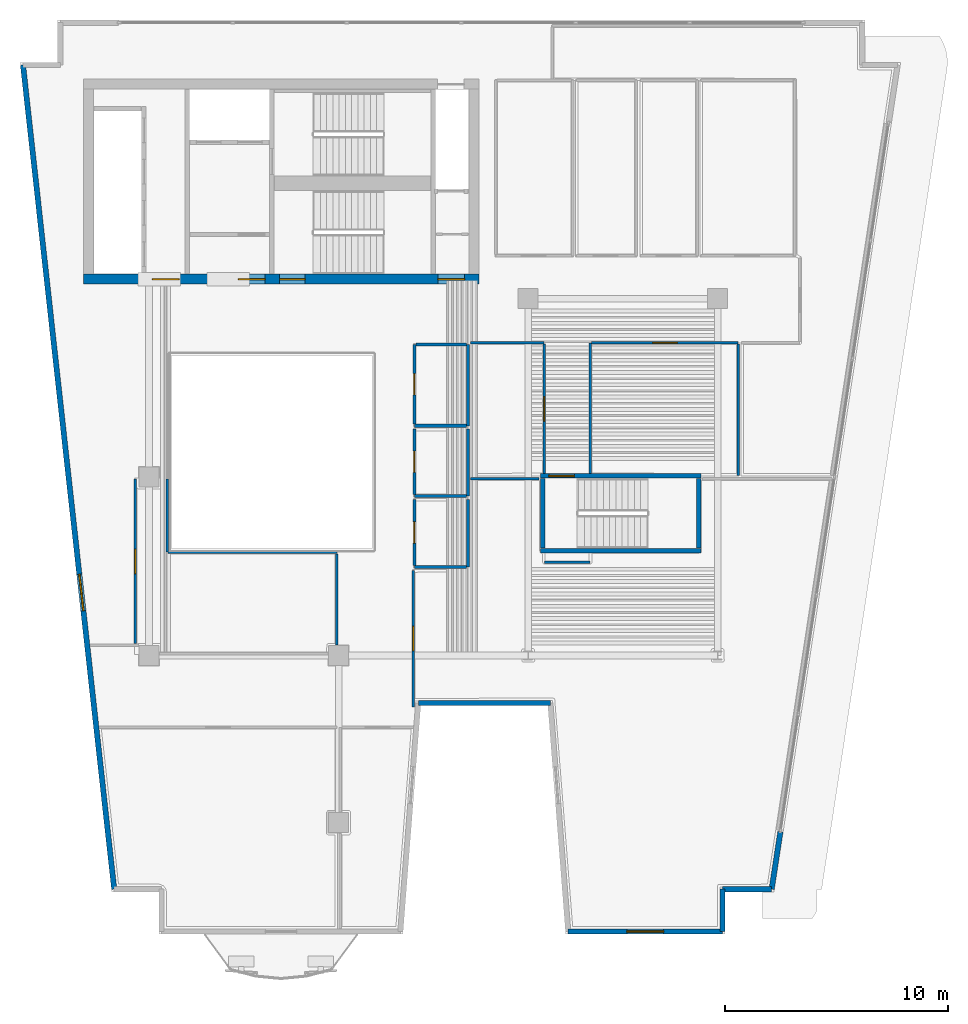
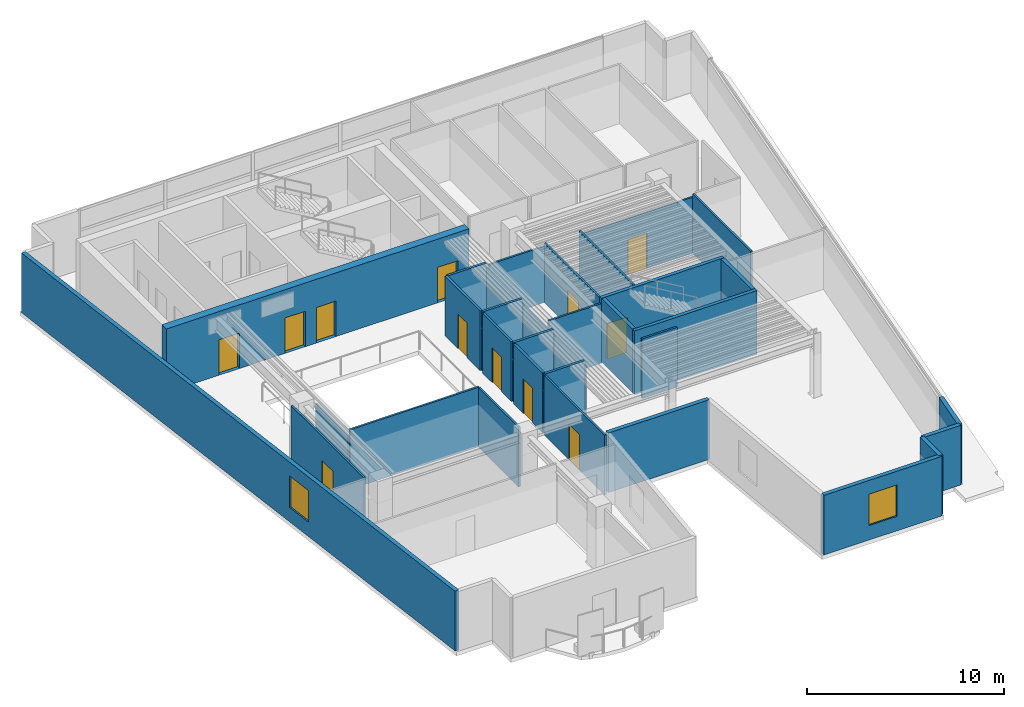
# One storey, part 4 of 8: 33 walls, 12 doors, 2 windows, 14 openings.
"""IFC4 building model written with IfcOpenShell, lengths in metres."""

import ifcopenshell
import ifcopenshell.guid

model = None  # the IFC model being written
_history = None  # IfcOwnerHistory: only IFC2X3 demands one
_inside = {}  # id of a spatial element -> (the spatial element, [elements in it])
_under = {}  # id of a project, library or spatial element -> (it, [spatial elements below it])
_declared = {}  # id of a project -> (the project, [libraries it declares])
_typed = {}  # id of a type object -> (the type object, [elements of that type])
_made_of = {}  # id of a material, layer set ... -> (it, [elements and type objects made of it])


def new_model(schema):
    """Start an empty IFC model of exactly this schema.

    Asked for "IFC4X3", IfcOpenShell would pick the latest addendum, in which some entities
    have other attributes; the version numbers below select the first issue.
    IFC2X3 requires an IfcOwnerHistory on every rooted entity: one is made here for all.
    """
    global model, _history
    if schema == "IFC4X3":
        model = ifcopenshell.file(schema_version=(4, 3, 0, 0))
    else:
        model = ifcopenshell.file(schema=schema)
    _inside.clear()
    _under.clear()
    _declared.clear()
    _typed.clear()
    _made_of.clear()
    _history = None
    if model.schema == "IFC2X3":
        org = make("IfcOrganization", Name="unknown")
        user = make(
            "IfcPersonAndOrganization",
            ThePerson=make("IfcPerson", FamilyName="unknown"),
            TheOrganization=org,
        )
        app = make(
            "IfcApplication",
            ApplicationDeveloper=org,
            Version="unknown",
            ApplicationFullName="unknown",
            ApplicationIdentifier="unknown",
        )
        _history = make(
            "IfcOwnerHistory",
            OwningUser=user,
            OwningApplication=app,
            ChangeAction="ADDED",
            CreationDate=0,
        )
    return model


def make(cls, **values):
    """One entity of the class cls with the attributes given. An attribute that is None is left unset."""
    return model.create_entity(
        cls, **{name: value for name, value in values.items() if value is not None}
    )


def rooted(cls, **values):
    """An entity with a GlobalId (a new one), such as an element, a storey or a relation."""
    return make(cls, GlobalId=ifcopenshell.guid.new(), OwnerHistory=_history, **values)


def si_unit(unit_type, name, prefix=None):
    """IfcSIUnit, for example si_unit("LENGTHUNIT", "METRE", prefix="MILLI")."""
    return make("IfcSIUnit", UnitType=unit_type, Prefix=prefix, Name=name)


def assignment(units):
    """IfcUnitAssignment: the units of a project."""
    return None if units is None else make("IfcUnitAssignment", Units=units)


def point(xyz):
    """IfcCartesianPoint."""
    return None if xyz is None else make("IfcCartesianPoint", Coordinates=xyz)


def direction(xyz):
    """IfcDirection."""
    return None if xyz is None else make("IfcDirection", DirectionRatios=xyz)


def frame(location, z_axis=None, x_axis=None):
    """IfcAxis2Placement3D, a coordinate frame: its origin and axes. An axis left out is left unset."""
    return make(
        "IfcAxis2Placement3D",
        Location=point(location),
        Axis=direction(z_axis),
        RefDirection=direction(x_axis),
    )


def frame_2d(location, x_axis=None):
    """IfcAxis2Placement2D, a coordinate frame in the plane: its origin and x axis."""
    return make(
        "IfcAxis2Placement2D", Location=point(location), RefDirection=direction(x_axis)
    )


def origin():
    """The frame at (0, 0, 0) with its axes left unset."""
    return frame((0.0, 0.0, 0.0))


def place(relative_to, where):
    """IfcLocalPlacement: puts the frame where relative to a parent placement (None: the world)."""
    return make(
        "IfcLocalPlacement", PlacementRelTo=relative_to, RelativePlacement=where
    )


def context(
    kind, dimensions, precision=None, world=None, true_north=None, identifier=None
):
    """IfcGeometricRepresentationContext, for example the 3D "Model" context."""
    return make(
        "IfcGeometricRepresentationContext",
        ContextIdentifier=identifier,
        ContextType=kind,
        CoordinateSpaceDimension=dimensions,
        Precision=precision,
        WorldCoordinateSystem=world,
        TrueNorth=true_north,
    )


def subcontext(parent, identifier, kind, view, scale=None):
    """IfcGeometricRepresentationSubContext, for example "Body" below "Model"."""
    return make(
        "IfcGeometricRepresentationSubContext",
        ContextIdentifier=identifier,
        ContextType=kind,
        ParentContext=parent,
        TargetScale=scale,
        TargetView=view,
    )


def project(units=None, contexts=None):
    """IfcProject with its units and contexts."""
    return rooted(
        "IfcProject",
        Name="project",
        RepresentationContexts=contexts,
        UnitsInContext=assignment(units),
    )


def spatial(cls, under=None, at=None, **own):
    """A site, building, storey or space (cls), placed at a placement, below another one or the project."""
    s = rooted(cls, ObjectPlacement=at, **own)
    if under is not None:
        _under.setdefault(under.id(), (under, []))[1].append(s)
    return s


def profile(cls, at=None, kind="AREA", **sizes):
    """A parametric profile (cls). Its sizes go by their IFC names, for example OverallWidth=200.0."""
    return make(cls, ProfileType=kind, Position=at, **sizes)


def rectangle(**sizes):
    """IfcRectangleProfileDef."""
    return profile("IfcRectangleProfileDef", **sizes)


def extrude(swept, where, along, depth):
    """IfcExtrudedAreaSolid: the profile swept, set in the frame where, extruded along a direction by depth."""
    return make(
        "IfcExtrudedAreaSolid",
        SweptArea=swept,
        Position=where,
        ExtrudedDirection=direction(along),
        Depth=depth,
    )


def shape(context_of_items, identifier, shape_type, items):
    """IfcShapeRepresentation: the items that make up one representation, for example the "Body"."""
    return make(
        "IfcShapeRepresentation",
        ContextOfItems=context_of_items,
        RepresentationIdentifier=identifier,
        RepresentationType=shape_type,
        Items=items,
    )


def material(Name=None, Category=None):
    """IfcMaterial."""
    return make("IfcMaterial", Name=Name, Category=Category)


def layer(
    of_material, thickness, ventilated=None, Name=None, Category=None, Priority=None
):
    """IfcMaterialLayer: one layer of a wall or slab, of a material (None: an air gap)."""
    return make(
        "IfcMaterialLayer",
        Material=of_material,
        LayerThickness=thickness,
        IsVentilated=ventilated,
        Name=Name,
        Category=Category,
        Priority=Priority,
    )


def layer_set(layers, Name=None):
    """IfcMaterialLayerSet."""
    return make("IfcMaterialLayerSet", MaterialLayers=layers, LayerSetName=Name)


def made_of(thing, what):
    """Note that an element or type object is made of a material, layer set ...; save() writes the relation."""
    if what is not None:
        _made_of.setdefault(what.id(), (what, []))[1].append(thing)
    return thing


def type_object(cls, material=None, **own):
    """A type object (cls), such as IfcWallType, which elements share."""
    return made_of(rooted(cls, **own), material)


def element(
    cls,
    number,
    at=None,
    inside=None,
    cuts=None,
    type_object=None,
    material=None,
    context=None,
    identifier="Body",
    shape_type=None,
    held_by="IfcProductDefinitionShape",
    body=None,
    shapes=None,
    **own,
):
    """One element of the class cls, such as IfcWall. Its Tag is "e" and its number.

    at: its placement. inside: the storey or other place that contains it. cuts: it is an
    opening in that element (IfcRelVoidsElement). A single representation is given by context,
    identifier, shape_type and body (its items); several are given by shapes. held_by: the class
    of the entity that holds the representations. save() writes the other relations.
    """
    e = rooted(cls, Tag="e%d" % number, ObjectPlacement=at, **own)
    if body is not None:
        shapes = [shape(context, identifier, shape_type, body)]
    if shapes is not None:
        e.Representation = make(held_by, Representations=shapes)
    if inside is not None:
        _inside.setdefault(inside.id(), (inside, []))[1].append(e)
    if cuts is not None:
        rooted(
            "IfcRelVoidsElement", RelatingBuildingElement=cuts, RelatedOpeningElement=e
        )
    if type_object is not None:
        _typed.setdefault(type_object.id(), (type_object, []))[1].append(e)
    return made_of(e, material)


def fill(opening, filler):
    """IfcRelFillsElement: the door or window that sits in an opening."""
    return rooted(
        "IfcRelFillsElement",
        RelatingOpeningElement=opening,
        RelatedBuildingElement=filler,
    )


def aggregate(whole, parts):
    """IfcRelAggregates: a whole, such as a stair, and the parts it consists of."""
    return rooted("IfcRelAggregates", RelatingObject=whole, RelatedObjects=parts)


def save(model, path):
    """Write the relations noted so far, then the file.

    IfcRelAggregates (storeys below a building ...), IfcRelContainedInSpatialStructure (elements
    in a storey), IfcRelDefinesByType, IfcRelAssociatesMaterial and IfcRelDeclares: one each for
    every whole, place, type object, material and project.
    """
    for whole, parts in _under.values():
        aggregate(whole, parts)
    for where, things in _inside.values():
        rooted(
            "IfcRelContainedInSpatialStructure",
            RelatedElements=things,
            RelatingStructure=where,
        )
    for kind, things in _typed.values():
        rooted("IfcRelDefinesByType", RelatedObjects=things, RelatingType=kind)
    for what, things in _made_of.values():
        rooted("IfcRelAssociatesMaterial", RelatedObjects=things, RelatingMaterial=what)
    for by, libraries in _declared.values():
        rooted("IfcRelDeclares", RelatingContext=by, RelatedDefinitions=libraries)
    model.write(path)


model = new_model("IFC4")

# Units and contexts
model_context = context("Model", 3, precision=1e-05, world=origin(), true_north=direction((0.0, 1.0)))
body_context = subcontext(model_context, "Body", "Model", "MODEL_VIEW")
ifc_project = project(units=[si_unit("LENGTHUNIT", "METRE"), si_unit("AREAUNIT", "SQUARE_METRE"), si_unit("VOLUMEUNIT", "CUBIC_METRE"), si_unit("PLANEANGLEUNIT", "RADIAN"), si_unit("MASSUNIT", "GRAM", prefix="KILO")], contexts=[model_context])

# Site, building, storey
site_placement = place(None, origin())
site = spatial("IfcSite", under=ifc_project, at=site_placement, CompositionType="ELEMENT")
building_placement = place(site_placement, origin())
building = spatial("IfcBuilding", under=site, at=building_placement, Name="Caeloran Harvest Quay", CompositionType="ELEMENT")
storey_placement = place(building_placement, frame((0.0, 0.0, 235.10009765625)))
storey = spatial("IfcBuildingStorey", under=building, at=storey_placement, Name="L56", CompositionType="ELEMENT", Elevation=235.10009765625)

# Wall, opening, window
ifc_material_1 = material(Name="Precast concrete C50/60", Category="concrete")
ifc_layer_1 = layer(ifc_material_1, 0.239990234375, Name="Precast concrete C50/60")
ifc_layer_set_1 = layer_set([ifc_layer_1], Name="Precast concrete C50/60")
wall_type_1 = type_object("IfcWallType", Name="ENV-WALL-EW-240", PredefinedType="STANDARD", material=ifc_layer_set_1)
wall_1_placement = place(storey_placement, frame((6.933349609375, 4.52001953125, 0.0), z_axis=(0.0, 0.0, 1.0), x_axis=(-0.109965284523, 0.993935428587, 0.0)))
wall_1 = element("IfcWall", 1, at=wall_1_placement, inside=storey, type_object=wall_type_1, Name="L56 Exterior Precast Concrete Facade Wall 3", PredefinedType="STANDARD", context=body_context, shape_type="SweptSolid", body=[
    extrude(rectangle(XDim=37.185546875, YDim=0.239990234375, at=frame_2d((18.5927734375, 0.0))), origin(), (0.0, 0.0, 1.0), 3.699951171875),
])
opening_1_placement = place(wall_1_placement, frame((12.56201171875, 0.0, 0.89990234375)))
opening_1 = element("IfcOpeningElement", 2, at=opening_1_placement, cuts=wall_1, Name="Opening W-08", PredefinedType="OPENING", context=body_context, shape_type="SweptSolid", body=[
    extrude(rectangle(XDim=1.64990234375, YDim=1.949951171875, at=frame_2d((0.824951171875, 0.97509765625))), frame((0.0, 0.1298828125, 0.0), z_axis=(0.0, -1.0, 0.0), x_axis=(1.0, 0.0, 0.0)), (0.0, 0.0, 1.0), 0.260009765625),
])
ifc_material_2 = material(Name="Aluminium-Framed Low-E Laminated Glass", Category="aluminium")
window_type = type_object("IfcWindowType", Name="WIN-W-08", PartitioningType="SINGLE_PANEL", PredefinedType="WINDOW", material=ifc_material_2)
window_1_placement = place(opening_1_placement, origin())
window_1 = element("IfcWindow", 3, at=window_1_placement, inside=storey, type_object=window_type, Name="L56 Facade Punched Window W-08", OverallHeight=1.949951171875, OverallWidth=1.64990234375, PartitioningType="SINGLE_PANEL", PredefinedType="WINDOW", context=body_context, shape_type="SweptSolid", body=[
    extrude(rectangle(XDim=1.64990234375, YDim=1.949951171875, at=frame_2d((0.824951171875, 0.97509765625))), frame((0.0, 0.030029296875, 0.0), z_axis=(0.0, -1.0, 0.0), x_axis=(1.0, 0.0, 0.0)), (0.0, 0.0, 1.0), 0.06005859375),
])
fill(opening_1, window_1)

# Walls
wall_2_placement = place(storey_placement, frame((36.81591796875, 7.090087890625, 0.0), z_axis=(0.0, 0.0, 1.0), x_axis=(-0.151090396132, -0.988519950328, 0.0)))
element("IfcWall", 4, at=wall_2_placement, inside=storey, type_object=wall_type_1, Name="L56 Exterior Facade Corner Pier Wall 9B", PredefinedType="STANDARD", context=body_context, shape_type="SweptSolid", body=[
    extrude(rectangle(XDim=2.599853515625, YDim=0.239990234375, at=frame_2d((1.2998046875, 0.0))), origin(), (0.0, 0.0, 1.0), 3.699951171875),
])
wall_3_placement = place(storey_placement, frame((36.423095703125, 4.52001953125, 0.0), z_axis=(0.0, 0.0, 1.0), x_axis=(-1.0, 0.0, 0.0)))
element("IfcWall", 5, at=wall_3_placement, inside=storey, type_object=wall_type_1, Name="L56 Exterior Precast Concrete Facade Wall 10", PredefinedType="STANDARD", context=body_context, shape_type="SweptSolid", body=[
    extrude(rectangle(XDim=2.20703125, YDim=0.239990234375, at=frame_2d((1.103515625, 0.0))), origin(), (0.0, 0.0, 1.0), 3.699951171875),
])
wall_4_placement = place(storey_placement, frame((34.216064453125, 4.52001953125, 0.0), z_axis=(0.0, 0.0, 1.0), x_axis=(0.0, -1.0, 0.0)))
element("IfcWall", 6, at=wall_4_placement, inside=storey, type_object=wall_type_1, Name="L56 Exterior Precast Concrete Facade Wall 11", PredefinedType="STANDARD", context=body_context, shape_type="SweptSolid", body=[
    extrude(rectangle(XDim=1.89990234375, YDim=0.239990234375, at=frame_2d((0.949951171875, 0.0))), origin(), (0.0, 0.0, 1.0), 3.699951171875),
])

# Wall, opening, window
wall_5_placement = place(storey_placement, frame((34.216064453125, 2.6201171875, 0.0), z_axis=(0.0, 0.0, 1.0), x_axis=(-1.0, 0.0, 0.0)))
wall_5 = element("IfcWall", 7, at=wall_5_placement, inside=storey, type_object=wall_type_1, Name="L56 Exterior Precast Concrete Facade Wall 12", PredefinedType="STANDARD", context=body_context, shape_type="SweptSolid", body=[
    extrude(rectangle(XDim=6.921142578125, YDim=0.239990234375, at=frame_2d((3.46044921875, 0.0))), origin(), (0.0, 0.0, 1.0), 3.699951171875),
])
opening_2_placement = place(wall_5_placement, frame((2.635009765625, 0.0, 0.89990234375)))
opening_2 = element("IfcOpeningElement", 8, at=opening_2_placement, cuts=wall_5, Name="Opening W-08", PredefinedType="OPENING", context=body_context, shape_type="SweptSolid", body=[
    extrude(rectangle(XDim=1.64990234375, YDim=1.949951171875, at=frame_2d((0.824951171875, 0.97509765625))), frame((0.0, 0.1298828125, 0.0), z_axis=(0.0, -1.0, 0.0), x_axis=(1.0, 0.0, 0.0)), (0.0, 0.0, 1.0), 0.260009765625),
])
window_2_placement = place(opening_2_placement, origin())
window_2 = element("IfcWindow", 9, at=window_2_placement, inside=storey, type_object=window_type, Name="L56 Facade Punched Window W-08", OverallHeight=1.949951171875, OverallWidth=1.64990234375, PartitioningType="SINGLE_PANEL", PredefinedType="WINDOW", context=body_context, shape_type="SweptSolid", body=[
    extrude(rectangle(XDim=1.64990234375, YDim=1.949951171875, at=frame_2d((0.824951171875, 0.97509765625))), frame((0.0, 0.030029296875, 0.0), z_axis=(0.0, -1.0, 0.0), x_axis=(1.0, 0.0, 0.0)), (0.0, 0.0, 1.0), 0.06005859375),
])
fill(opening_2, window_2)

# Wall
wall_6_placement = place(storey_placement, frame((26.4951171875, 12.8701171875, 0.0), z_axis=(0.0, 0.0, 1.0), x_axis=(-1.0, 0.0, 0.0)))
element("IfcWall", 10, at=wall_6_placement, inside=storey, type_object=wall_type_1, Name="L56 Exterior Precast Concrete Facade Wall 14", PredefinedType="STANDARD", context=body_context, shape_type="SweptSolid", body=[
    extrude(rectangle(XDim=5.922119140625, YDim=0.239990234375, at=frame_2d((2.9609375, 0.0))), origin(), (0.0, 0.0, 1.0), 3.699951171875),
])

# Wall, opening, door
ifc_material_3 = material(Name="Single-Stud Acoustic Gypsum Office Partition", Category="gypsum")
ifc_layer_2 = layer(ifc_material_3, 0.112060546875, Name="Single-Stud Acoustic Gypsum Office Partition")
ifc_layer_set_2 = layer_set([ifc_layer_2], Name="Single-Stud Acoustic Gypsum Office Partition")
wall_type_2 = type_object("IfcWallType", Name="INT-WALL-PW-112", PredefinedType="PARTITIONING", material=ifc_layer_set_2)
wall_7_placement = place(storey_placement, frame((20.35009765625, 12.688720703125, 0.0), z_axis=(0.0, 0.0, 1.0), x_axis=(0.0, 1.0, 0.0)))
wall_7 = element("IfcWall", 11, at=wall_7_placement, inside=storey, type_object=wall_type_2, Name="Material Testing Laboratory Partition Wall", PredefinedType="PARTITIONING", context=body_context, shape_type="SweptSolid", body=[
    extrude(rectangle(XDim=6.121337890625, YDim=0.112060546875, at=frame_2d((3.060546875, 0.0))), origin(), (0.0, 0.0, 1.0), 3.699951171875),
])
opening_3_placement = place(wall_7_placement, frame((2.5107421875, 0.0, 0.0)))
opening_3 = element("IfcOpeningElement", 12, at=opening_3_placement, cuts=wall_7, Name="Opening ID-04", PredefinedType="OPENING", context=body_context, shape_type="SweptSolid", body=[
    extrude(rectangle(XDim=1.10009765625, YDim=2.199951171875, at=frame_2d((0.550048828125, 1.10009765625))), frame((0.0, 0.06591796875, 0.0), z_axis=(0.0, -1.0, 0.0), x_axis=(1.0, 0.0, 0.0)), (0.0, 0.0, 1.0), 0.132080078125),
])
ifc_material_4 = material(Name="Acoustic Walnut Veneer Executive Door", Category="wood")
door_type_1 = type_object("IfcDoorType", Name="INTDOOR-ID-04", OperationType="NOTDEFINED", PredefinedType="DOOR", material=ifc_material_4)
door_1_placement = place(opening_3_placement, origin())
door_1 = element("IfcDoor", 13, at=door_1_placement, inside=storey, type_object=door_type_1, Name="Material Testing Laboratory Access Door", OperationType="SINGLE_SWING_RIGHT", OverallHeight=2.199951171875, OverallWidth=1.10009765625, PredefinedType="DOOR", context=body_context, shape_type="SweptSolid", body=[
    extrude(rectangle(XDim=1.10009765625, YDim=2.199951171875, at=frame_2d((0.550048828125, 1.10009765625))), frame((0.0, 0.02490234375, 0.0), z_axis=(0.0, -1.0, 0.0), x_axis=(1.0, 0.0, 0.0)), (0.0, 0.0, 1.0), 0.050048828125),
])
fill(opening_3, door_1)

# Walls
wall_8_placement = place(storey_placement, frame((22.909912109375, 22.919921875, 0.0), z_axis=(0.0, 0.0, 1.0), x_axis=(1.0, 0.0, 0.0)))
element("IfcWall", 14, at=wall_8_placement, inside=storey, type_object=wall_type_2, Name="Material Testing Laboratory Partition Wall", PredefinedType="PARTITIONING", context=body_context, shape_type="SweptSolid", body=[
    extrude(rectangle(XDim=3.0791015625, YDim=0.112060546875, at=frame_2d((1.53955078125, 0.0))), origin(), (0.0, 0.0, 1.0), 3.699951171875),
])
wall_9_placement = place(storey_placement, frame((26.22412109375, 19.169921875, 0.0), z_axis=(0.0, 0.0, 1.0), x_axis=(1.0, 0.0, 0.0)))
element("IfcWall", 15, at=wall_9_placement, inside=storey, type_object=wall_type_2, Name="Material Testing Laboratory Partition Wall", PredefinedType="PARTITIONING", context=body_context, shape_type="SweptSolid", body=[
    extrude(rectangle(XDim=2.055908203125, YDim=0.112060546875, at=frame_2d((1.02783203125, 0.0))), origin(), (0.0, 0.0, 1.0), 3.699951171875),
])
wall_10_placement = place(storey_placement, frame((9.35009765625, 19.6201171875, 0.0), z_axis=(0.0, 0.0, 1.0), x_axis=(1.0, 0.0, 0.0)))
element("IfcWall", 16, at=wall_10_placement, inside=storey, type_object=wall_type_2, Name="Principal Partner Office Partition Wall", PredefinedType="PARTITIONING", context=body_context, shape_type="SweptSolid", body=[
    extrude(rectangle(XDim=7.56982421875, YDim=0.112060546875, at=frame_2d((3.784912109375, 0.0))), origin(), (0.0, 0.0, 1.0), 3.699951171875),
])
wall_11_placement = place(storey_placement, frame((16.919921875, 19.55908203125, 0.0), z_axis=(0.0, 0.0, 1.0), x_axis=(0.0, -1.0, 0.0)))
element("IfcWall", 17, at=wall_11_placement, inside=storey, type_object=wall_type_2, Name="Principal Partner Office Partition Wall", PredefinedType="PARTITIONING", context=body_context, shape_type="SweptSolid", body=[
    extrude(rectangle(XDim=4.083984375, YDim=0.112060546875, at=frame_2d((2.0419921875, 0.0))), origin(), (0.0, 0.0, 1.0), 3.699951171875),
])

# Wall, opening, door
wall_12_placement = place(storey_placement, frame((7.8798828125, 15.52587890625, 0.0), z_axis=(0.0, 0.0, 1.0), x_axis=(0.0, 1.0, 0.0)))
wall_12 = element("IfcWall", 18, at=wall_12_placement, inside=storey, type_object=wall_type_2, Name="Principal Partner Office Partition Wall", PredefinedType="PARTITIONING", context=body_context, shape_type="SweptSolid", body=[
    extrude(rectangle(XDim=7.39404296875, YDim=0.112060546875, at=frame_2d((3.697021484375, 0.0))), origin(), (0.0, 0.0, 1.0), 3.699951171875),
])
opening_4_placement = place(wall_12_placement, frame((3.14697265625, 0.0, 0.0)))
opening_4 = element("IfcOpeningElement", 19, at=opening_4_placement, cuts=wall_12, Name="Opening ID-04", PredefinedType="OPENING", context=body_context, shape_type="SweptSolid", body=[
    extrude(rectangle(XDim=1.10009765625, YDim=2.199951171875, at=frame_2d((0.550048828125, 1.10009765625))), frame((0.0, 0.06591796875, 0.0), z_axis=(0.0, -1.0, 0.0), x_axis=(1.0, 0.0, 0.0)), (0.0, 0.0, 1.0), 0.132080078125),
])
door_2_placement = place(opening_4_placement, origin())
door_2 = element("IfcDoor", 20, at=door_2_placement, inside=storey, type_object=door_type_1, Name="Principal Partner Office Access Door", OperationType="SINGLE_SWING_LEFT", OverallHeight=2.199951171875, OverallWidth=1.10009765625, PredefinedType="DOOR", context=body_context, shape_type="SweptSolid", body=[
    extrude(rectangle(XDim=1.10009765625, YDim=2.199951171875, at=frame_2d((0.550048828125, 1.10009765625))), frame((0.0, 0.02490234375, 0.0), z_axis=(0.0, -1.0, 0.0), x_axis=(1.0, 0.0, 0.0)), (0.0, 0.0, 1.0), 0.050048828125),
])
fill(opening_4, door_2)

# Walls
wall_13_placement = place(storey_placement, frame((9.320068359375, 22.919921875, 0.0), z_axis=(0.0, 0.0, 1.0), x_axis=(0.0, -1.0, 0.0)))
element("IfcWall", 21, at=wall_13_placement, inside=storey, type_object=wall_type_2, Name="Principal Partner Office Partition Wall", PredefinedType="PARTITIONING", context=body_context, shape_type="SweptSolid", body=[
    extrude(rectangle(XDim=3.27001953125, YDim=0.112060546875, at=frame_2d((1.635009765625, 0.0))), origin(), (0.0, 0.0, 1.0), 3.324951171875),
])
wall_14_placement = place(storey_placement, frame((22.909912109375, 29.02001953125, 0.0), z_axis=(0.0, 0.0, 1.0), x_axis=(1.0, 0.0, 0.0)))
element("IfcWall", 22, at=wall_14_placement, inside=storey, type_object=wall_type_2, Name="Terrace View Conference Room Partition Wall", PredefinedType="PARTITIONING", context=body_context, shape_type="SweptSolid", body=[
    extrude(rectangle(XDim=3.31005859375, YDim=0.112060546875, at=frame_2d((1.655029296875, 0.0))), origin(), (0.0, 0.0, 1.0), 3.48486328125),
])

# Wall, opening, door
wall_15_placement = place(storey_placement, frame((26.219970703125, 28.958984375, 0.0), z_axis=(0.0, 0.0, 1.0), x_axis=(0.0, -1.0, 0.0)))
wall_15 = element("IfcWall", 23, at=wall_15_placement, inside=storey, type_object=wall_type_2, Name="Terrace View Conference Room Partition Wall", PredefinedType="PARTITIONING", context=body_context, shape_type="SweptSolid", body=[
    extrude(rectangle(XDim=5.803955078125, YDim=0.112060546875, at=frame_2d((2.90185546875, 0.0))), origin(), (0.0, 0.0, 1.0), 3.699951171875),
])
opening_5_placement = place(wall_15_placement, frame((2.35205078125, 0.0, 0.0)))
opening_5 = element("IfcOpeningElement", 24, at=opening_5_placement, cuts=wall_15, Name="Opening ID-04", PredefinedType="OPENING", context=body_context, shape_type="SweptSolid", body=[
    extrude(rectangle(XDim=1.10009765625, YDim=2.199951171875, at=frame_2d((0.550048828125, 1.10009765625))), frame((0.0, 0.06591796875, 0.0), z_axis=(0.0, -1.0, 0.0), x_axis=(1.0, 0.0, 0.0)), (0.0, 0.0, 1.0), 0.132080078125),
])
door_3_placement = place(opening_5_placement, origin())
door_3 = element("IfcDoor", 25, at=door_3_placement, inside=storey, type_object=door_type_1, Name="Terrace View Conference Room Access Door", OperationType="SINGLE_SWING_RIGHT", OverallHeight=2.199951171875, OverallWidth=1.10009765625, PredefinedType="DOOR", context=body_context, shape_type="SweptSolid", body=[
    extrude(rectangle(XDim=1.10009765625, YDim=2.199951171875, at=frame_2d((0.550048828125, 1.10009765625))), frame((0.0, 0.02490234375, 0.0), z_axis=(0.0, -1.0, 0.0), x_axis=(1.0, 0.0, 0.0)), (0.0, 0.0, 1.0), 0.050048828125),
])
fill(opening_5, door_3)

# Wall
wall_16_placement = place(storey_placement, frame((28.280029296875, 23.155029296875, 0.0), z_axis=(0.0, 0.0, 1.0), x_axis=(0.0, 1.0, 0.0)))
element("IfcWall", 26, at=wall_16_placement, inside=storey, type_object=wall_type_2, Name="Studio Pin-Up Lounge Partition Wall", PredefinedType="PARTITIONING", context=body_context, shape_type="SweptSolid", body=[
    extrude(rectangle(XDim=5.864990234375, YDim=0.112060546875, at=frame_2d((2.9326171875, 0.0))), origin(), (0.0, 0.0, 1.0), 3.699951171875),
])

# Wall, opening, door
wall_17_placement = place(storey_placement, frame((28.341064453125, 29.02001953125, 0.0), z_axis=(0.0, 0.0, 1.0), x_axis=(1.0, 0.0, 0.0)))
wall_17 = element("IfcWall", 27, at=wall_17_placement, inside=storey, type_object=wall_type_2, Name="Studio Pin-Up Lounge Partition Wall", PredefinedType="PARTITIONING", context=body_context, shape_type="SweptSolid", body=[
    extrude(rectangle(XDim=6.578857421875, YDim=0.112060546875, at=frame_2d((3.28955078125, 0.0))), origin(), (0.0, 0.0, 1.0), 3.48486328125),
])
opening_6_placement = place(wall_17_placement, frame((2.739501953125, 0.0, 0.0)))
opening_6 = element("IfcOpeningElement", 28, at=opening_6_placement, cuts=wall_17, Name="Opening ID-04", PredefinedType="OPENING", context=body_context, shape_type="SweptSolid", body=[
    extrude(rectangle(XDim=1.10009765625, YDim=2.199951171875, at=frame_2d((0.550048828125, 1.10009765625))), frame((0.0, 0.06591796875, 0.0), z_axis=(0.0, -1.0, 0.0), x_axis=(1.0, 0.0, 0.0)), (0.0, 0.0, 1.0), 0.132080078125),
])
door_4_placement = place(opening_6_placement, origin())
door_4 = element("IfcDoor", 29, at=door_4_placement, inside=storey, type_object=door_type_1, Name="Studio Pin-Up Lounge Access Door", OperationType="SINGLE_SWING_LEFT", OverallHeight=2.199951171875, OverallWidth=1.10009765625, PredefinedType="DOOR", context=body_context, shape_type="SweptSolid", body=[
    extrude(rectangle(XDim=1.10009765625, YDim=2.199951171875, at=frame_2d((0.550048828125, 1.10009765625))), frame((0.0, 0.02490234375, 0.0), z_axis=(0.0, -1.0, 0.0), x_axis=(1.0, 0.0, 0.0)), (0.0, 0.0, 1.0), 0.050048828125),
])
fill(opening_6, door_4)

# Walls
wall_18_placement = place(storey_placement, frame((34.919921875, 28.958984375, 0.0), z_axis=(0.0, 0.0, 1.0), x_axis=(0.0, -1.0, 0.0)))
element("IfcWall", 30, at=wall_18_placement, inside=storey, type_object=wall_type_2, Name="Studio Pin-Up Lounge Partition Wall", PredefinedType="PARTITIONING", context=body_context, shape_type="SweptSolid", body=[
    extrude(rectangle(XDim=5.87890625, YDim=0.112060546875, at=frame_2d((2.939453125, 0.0))), origin(), (0.0, 0.0, 1.0), 3.699951171875),
])
ifc_material_5 = material(Name="Moisture-Resistant Cement-Board Sanitary Partition", Category="gypsum")
ifc_layer_3 = layer(ifc_material_5, 0.139892578125, Name="Moisture-Resistant Cement-Board Sanitary Partition")
ifc_layer_set_3 = layer_set([ifc_layer_3], Name="Moisture-Resistant Cement-Board Sanitary Partition")
wall_type_3 = type_object("IfcWallType", Name="INT-WALL-PW-140", PredefinedType="PARTITIONING", material=ifc_layer_set_3)
wall_19_placement = place(storey_placement, frame((22.800048828125, 28.949951171875, 0.0), z_axis=(0.0, 0.0, 1.0), x_axis=(0.0, -1.0, 0.0)))
element("IfcWall", 31, at=wall_19_placement, inside=storey, type_object=wall_type_3, Name="L56 Male Washroom WC Partition Wall", PredefinedType="PARTITIONING", context=body_context, shape_type="SweptSolid", body=[
    extrude(rectangle(XDim=3.64990234375, YDim=0.139892578125, at=frame_2d((1.824951171875, 0.0))), origin(), (0.0, 0.0, 1.0), 3.324951171875),
])
wall_20_placement = place(storey_placement, frame((22.72509765625, 25.300048828125, 0.0), z_axis=(0.0, 0.0, 1.0), x_axis=(-1.0, 0.0, 0.0)))
element("IfcWall", 32, at=wall_20_placement, inside=storey, type_object=wall_type_3, Name="L56 Male Washroom WC Partition Wall", PredefinedType="PARTITIONING", context=body_context, shape_type="SweptSolid", body=[
    extrude(rectangle(XDim=2.3251953125, YDim=0.139892578125, at=frame_2d((1.16259765625, 0.0))), origin(), (0.0, 0.0, 1.0), 3.699951171875),
])

# Wall, opening, door
wall_21_placement = place(storey_placement, frame((20.39990234375, 25.375, 0.0), z_axis=(0.0, 0.0, 1.0), x_axis=(0.0, 1.0, 0.0)))
wall_21 = element("IfcWall", 33, at=wall_21_placement, inside=storey, type_object=wall_type_3, Name="L56 Male Washroom WC Partition Wall", PredefinedType="PARTITIONING", context=body_context, shape_type="SweptSolid", body=[
    extrude(rectangle(XDim=3.574951171875, YDim=0.139892578125, at=frame_2d((1.78759765625, 0.0))), origin(), (0.0, 0.0, 1.0), 3.699951171875),
])
opening_7_placement = place(wall_21_placement, frame((1.3125, 0.0, 0.0)))
opening_7 = element("IfcOpeningElement", 34, at=opening_7_placement, cuts=wall_21, Name="Opening WC-01", PredefinedType="OPENING", context=body_context, shape_type="SweptSolid", body=[
    extrude(rectangle(XDim=0.949951171875, YDim=2.14990234375, at=frame_2d((0.47509765625, 1.074951171875))), frame((0.0, 0.080078125, 0.0), z_axis=(0.0, -1.0, 0.0), x_axis=(1.0, 0.0, 0.0)), (0.0, 0.0, 1.0), 0.159912109375),
])
ifc_material_6 = material(Name="High-Pressure Laminate Moisture-Resistant Timber", Category="wood")
door_type_2 = type_object("IfcDoorType", Name="INTDOOR-WC-01", OperationType="NOTDEFINED", PredefinedType="DOOR", material=ifc_material_6)
door_5_placement = place(opening_7_placement, origin())
door_5 = element("IfcDoor", 35, at=door_5_placement, inside=storey, type_object=door_type_2, Name="L56 Male Washroom WC Access Door", OperationType="SINGLE_SWING_LEFT", OverallHeight=2.14990234375, OverallWidth=0.949951171875, PredefinedType="DOOR", context=body_context, shape_type="SweptSolid", body=[
    extrude(rectangle(XDim=0.949951171875, YDim=2.14990234375, at=frame_2d((0.47509765625, 1.074951171875))), frame((0.0, 0.02490234375, 0.0), z_axis=(0.0, -1.0, 0.0), x_axis=(1.0, 0.0, 0.0)), (0.0, 0.0, 1.0), 0.050048828125),
])
fill(opening_7, door_5)

# Walls
wall_22_placement = place(storey_placement, frame((20.47509765625, 28.949951171875, 0.0), z_axis=(0.0, 0.0, 1.0), x_axis=(1.0, 0.0, 0.0)))
element("IfcWall", 36, at=wall_22_placement, inside=storey, type_object=wall_type_3, Name="L56 Male Washroom WC Partition Wall", PredefinedType="PARTITIONING", context=body_context, shape_type="SweptSolid", body=[
    extrude(rectangle(XDim=2.25, YDim=0.139892578125, at=frame_2d((1.125, 0.0))), origin(), (0.0, 0.0, 1.0), 3.699951171875),
])
wall_23_placement = place(storey_placement, frame((22.800048828125, 25.14990234375, 0.0), z_axis=(0.0, 0.0, 1.0), x_axis=(0.0, -1.0, 0.0)))
element("IfcWall", 37, at=wall_23_placement, inside=storey, type_object=wall_type_3, Name="L56 Female Washroom WC Partition Wall", PredefinedType="PARTITIONING", context=body_context, shape_type="SweptSolid", body=[
    extrude(rectangle(XDim=3.0, YDim=0.139892578125, at=frame_2d((1.5, 0.0))), origin(), (0.0, 0.0, 1.0), 3.324951171875),
])
wall_24_placement = place(storey_placement, frame((22.72509765625, 22.14990234375, 0.0), z_axis=(0.0, 0.0, 1.0), x_axis=(-1.0, 0.0, 0.0)))
element("IfcWall", 38, at=wall_24_placement, inside=storey, type_object=wall_type_3, Name="L56 Female Washroom WC Partition Wall", PredefinedType="PARTITIONING", context=body_context, shape_type="SweptSolid", body=[
    extrude(rectangle(XDim=2.3251953125, YDim=0.139892578125, at=frame_2d((1.16259765625, 0.0))), origin(), (0.0, 0.0, 1.0), 3.699951171875),
])

# Wall, opening, door
wall_25_placement = place(storey_placement, frame((20.39990234375, 22.22509765625, 0.0), z_axis=(0.0, 0.0, 1.0), x_axis=(0.0, 1.0, 0.0)))
wall_25 = element("IfcWall", 39, at=wall_25_placement, inside=storey, type_object=wall_type_3, Name="L56 Female Washroom WC Partition Wall", PredefinedType="PARTITIONING", context=body_context, shape_type="SweptSolid", body=[
    extrude(rectangle(XDim=2.9248046875, YDim=0.139892578125, at=frame_2d((1.46240234375, 0.0))), origin(), (0.0, 0.0, 1.0), 3.699951171875),
])
opening_8_placement = place(wall_25_placement, frame((0.987548828125, 0.0, 0.0)))
opening_8 = element("IfcOpeningElement", 40, at=opening_8_placement, cuts=wall_25, Name="Opening WC-01", PredefinedType="OPENING", context=body_context, shape_type="SweptSolid", body=[
    extrude(rectangle(XDim=0.949951171875, YDim=2.14990234375, at=frame_2d((0.47509765625, 1.074951171875))), frame((0.0, 0.080078125, 0.0), z_axis=(0.0, -1.0, 0.0), x_axis=(1.0, 0.0, 0.0)), (0.0, 0.0, 1.0), 0.159912109375),
])
door_6_placement = place(opening_8_placement, origin())
door_6 = element("IfcDoor", 41, at=door_6_placement, inside=storey, type_object=door_type_2, Name="L56 Female Washroom WC Access Door", OperationType="SINGLE_SWING_RIGHT", OverallHeight=2.14990234375, OverallWidth=0.949951171875, PredefinedType="DOOR", context=body_context, shape_type="SweptSolid", body=[
    extrude(rectangle(XDim=0.949951171875, YDim=2.14990234375, at=frame_2d((0.47509765625, 1.074951171875))), frame((0.0, 0.02490234375, 0.0), z_axis=(0.0, -1.0, 0.0), x_axis=(1.0, 0.0, 0.0)), (0.0, 0.0, 1.0), 0.050048828125),
])
fill(opening_8, door_6)

# Walls
wall_26_placement = place(storey_placement, frame((22.800048828125, 22.0, 0.0), z_axis=(0.0, 0.0, 1.0), x_axis=(0.0, -1.0, 0.0)))
element("IfcWall", 42, at=wall_26_placement, inside=storey, type_object=wall_type_3, Name="L56 Accessible Unisex Washroom WC Partition Wall", PredefinedType="PARTITIONING", context=body_context, shape_type="SweptSolid", body=[
    extrude(rectangle(XDim=3.0400390625, YDim=0.139892578125, at=frame_2d((1.52001953125, 0.0))), origin(), (0.0, 0.0, 1.0), 3.324951171875),
])
wall_27_placement = place(storey_placement, frame((22.72509765625, 18.9599609375, 0.0), z_axis=(0.0, 0.0, 1.0), x_axis=(-1.0, 0.0, 0.0)))
element("IfcWall", 43, at=wall_27_placement, inside=storey, type_object=wall_type_3, Name="L56 Accessible Unisex Washroom WC Partition Wall", PredefinedType="PARTITIONING", context=body_context, shape_type="SweptSolid", body=[
    extrude(rectangle(XDim=2.3251953125, YDim=0.139892578125, at=frame_2d((1.16259765625, 0.0))), origin(), (0.0, 0.0, 1.0), 3.699951171875),
])

# Wall, opening, door
wall_28_placement = place(storey_placement, frame((20.39990234375, 19.034912109375, 0.0), z_axis=(0.0, 0.0, 1.0), x_axis=(0.0, 1.0, 0.0)))
wall_28 = element("IfcWall", 44, at=wall_28_placement, inside=storey, type_object=wall_type_3, Name="L56 Accessible Unisex Washroom WC Partition Wall", PredefinedType="PARTITIONING", context=body_context, shape_type="SweptSolid", body=[
    extrude(rectangle(XDim=2.965087890625, YDim=0.139892578125, at=frame_2d((1.482421875, 0.0))), origin(), (0.0, 0.0, 1.0), 3.699951171875),
])
opening_9_placement = place(wall_28_placement, frame((1.007568359375, 0.0, 0.0)))
opening_9 = element("IfcOpeningElement", 45, at=opening_9_placement, cuts=wall_28, Name="Opening WC-01", PredefinedType="OPENING", context=body_context, shape_type="SweptSolid", body=[
    extrude(rectangle(XDim=0.949951171875, YDim=2.14990234375, at=frame_2d((0.47509765625, 1.074951171875))), frame((0.0, 0.080078125, 0.0), z_axis=(0.0, -1.0, 0.0), x_axis=(1.0, 0.0, 0.0)), (0.0, 0.0, 1.0), 0.159912109375),
])
door_7_placement = place(opening_9_placement, origin())
door_7 = element("IfcDoor", 46, at=door_7_placement, inside=storey, type_object=door_type_2, Name="L56 Accessible Unisex Washroom WC Access Door", OperationType="SINGLE_SWING_LEFT", OverallHeight=2.14990234375, OverallWidth=0.949951171875, PredefinedType="DOOR", context=body_context, shape_type="SweptSolid", body=[
    extrude(rectangle(XDim=0.949951171875, YDim=2.14990234375, at=frame_2d((0.47509765625, 1.074951171875))), frame((0.0, 0.02490234375, 0.0), z_axis=(0.0, -1.0, 0.0), x_axis=(1.0, 0.0, 0.0)), (0.0, 0.0, 1.0), 0.050048828125),
])
fill(opening_9, door_7)

# Wall, openings, doors
ifc_material_7 = material(Name="Concrete C60/75", Category="concrete")
ifc_layer_4 = layer(ifc_material_7, 0.449951171875, Name="Concrete C60/75")
ifc_layer_set_4 = layer_set([ifc_layer_4], Name="Concrete C60/75")
wall_type_4 = type_object("IfcWallType", Name="STR-WALL-CW-450", PredefinedType="SHEAR", material=ifc_layer_set_4)
wall_29_placement = place(storey_placement, frame((5.550048828125, 31.875, 0.0), z_axis=(0.0, 0.0, 1.0), x_axis=(1.0, 0.0, 0.0)))
wall_29 = element("IfcWall", 47, at=wall_29_placement, inside=storey, type_object=wall_type_4, Name="L56 Rear Core Shear Wall S", PredefinedType="SHEAR", context=body_context, shape_type="SweptSolid", body=[
    extrude(rectangle(XDim=17.75, YDim=0.449951171875, at=frame_2d((8.875, 0.0))), origin(), (0.0, 0.0, 1.0), 3.949951171875),
])
opening_10_placement = place(wall_29_placement, frame((3.10009765625, 0.0, 0.0)))
opening_10 = element("IfcOpeningElement", 48, at=opening_10_placement, cuts=wall_29, Name="Opening FD-01", PredefinedType="OPENING", context=body_context, shape_type="SweptSolid", body=[
    extrude(rectangle(XDim=1.199951171875, YDim=2.199951171875, at=frame_2d((0.60009765625, 1.10009765625))), frame((0.0, 0.23486328125, 0.0), z_axis=(0.0, -1.0, 0.0), x_axis=(1.0, 0.0, 0.0)), (0.0, 0.0, 1.0), 0.469970703125),
])
opening_11_placement = place(wall_29_placement, frame((6.949951171875, 0.0, 0.0)))
opening_11 = element("IfcOpeningElement", 49, at=opening_11_placement, cuts=wall_29, Name="Opening FD-01", PredefinedType="OPENING", context=body_context, shape_type="SweptSolid", body=[
    extrude(rectangle(XDim=1.199951171875, YDim=2.199951171875, at=frame_2d((0.60009765625, 1.10009765625))), frame((0.0, 0.23486328125, 0.0), z_axis=(0.0, -1.0, 0.0), x_axis=(1.0, 0.0, 0.0)), (0.0, 0.0, 1.0), 0.469970703125),
])
opening_12_placement = place(wall_29_placement, frame((8.800048828125, 0.0, 0.0)))
opening_12 = element("IfcOpeningElement", 50, at=opening_12_placement, cuts=wall_29, Name="Opening SD-01", PredefinedType="OPENING", context=body_context, shape_type="SweptSolid", body=[
    extrude(rectangle(XDim=1.14990234375, YDim=2.199951171875, at=frame_2d((0.574951171875, 1.10009765625))), frame((0.0, 0.23486328125, 0.0), z_axis=(0.0, -1.0, 0.0), x_axis=(1.0, 0.0, 0.0)), (0.0, 0.0, 1.0), 0.469970703125),
])
opening_13_placement = place(wall_29_placement, frame((15.89990234375, 0.0, 0.0)))
opening_13 = element("IfcOpeningElement", 51, at=opening_13_placement, cuts=wall_29, Name="Opening FD-01", PredefinedType="OPENING", context=body_context, shape_type="SweptSolid", body=[
    extrude(rectangle(XDim=1.199951171875, YDim=2.199951171875, at=frame_2d((0.60009765625, 1.10009765625))), frame((0.0, 0.23486328125, 0.0), z_axis=(0.0, -1.0, 0.0), x_axis=(1.0, 0.0, 0.0)), (0.0, 0.0, 1.0), 0.469970703125),
])
ifc_material_8 = material(Name="Steel", Category="steel")
door_type_3 = type_object("IfcDoorType", Name="INTDOOR-FD-01", OperationType="NOTDEFINED", PredefinedType="DOOR", material=ifc_material_8)
door_8_placement = place(opening_10_placement, origin())
door_8 = element("IfcDoor", 52, at=door_8_placement, inside=storey, type_object=door_type_3, Name="L56 High-Rise Lift Lobby Fire Door", OperationType="SINGLE_SWING_LEFT", OverallHeight=2.199951171875, OverallWidth=1.199951171875, PredefinedType="DOOR", context=body_context, shape_type="SweptSolid", body=[
    extrude(rectangle(XDim=1.199951171875, YDim=2.199951171875, at=frame_2d((0.60009765625, 1.10009765625))), frame((0.0, 0.02490234375, 0.0), z_axis=(0.0, -1.0, 0.0), x_axis=(1.0, 0.0, 0.0)), (0.0, 0.0, 1.0), 0.050048828125),
])
fill(opening_10, door_8)
door_9_placement = place(opening_11_placement, origin())
door_9 = element("IfcDoor", 53, at=door_9_placement, inside=storey, type_object=door_type_3, Name="L56 Firefighting Lobby Vestibule Fire Door", OperationType="SINGLE_SWING_RIGHT", OverallHeight=2.199951171875, OverallWidth=1.199951171875, PredefinedType="DOOR", context=body_context, shape_type="SweptSolid", body=[
    extrude(rectangle(XDim=1.199951171875, YDim=2.199951171875, at=frame_2d((0.60009765625, 1.10009765625))), frame((0.0, 0.02490234375, 0.0), z_axis=(0.0, -1.0, 0.0), x_axis=(1.0, 0.0, 0.0)), (0.0, 0.0, 1.0), 0.050048828125),
])
fill(opening_11, door_9)
door_10_placement = place(opening_13_placement, origin())
door_10 = element("IfcDoor", 54, at=door_10_placement, inside=storey, type_object=door_type_3, Name="L56 Service Lift Lobby Fire Door", OperationType="SINGLE_SWING_RIGHT", OverallHeight=2.199951171875, OverallWidth=1.199951171875, PredefinedType="DOOR", context=body_context, shape_type="SweptSolid", body=[
    extrude(rectangle(XDim=1.199951171875, YDim=2.199951171875, at=frame_2d((0.60009765625, 1.10009765625))), frame((0.0, 0.02490234375, 0.0), z_axis=(0.0, -1.0, 0.0), x_axis=(1.0, 0.0, 0.0)), (0.0, 0.0, 1.0), 0.050048828125),
])
fill(opening_13, door_10)
door_type_4 = type_object("IfcDoorType", Name="INTDOOR-SD-01", OperationType="NOTDEFINED", PredefinedType="DOOR", material=ifc_material_8)
door_11_placement = place(opening_12_placement, origin())
door_11 = element("IfcDoor", 55, at=door_11_placement, inside=storey, type_object=door_type_4, Name="L56 Protected Stair ST-C2 Exit Door", OperationType="SINGLE_SWING_LEFT", OverallHeight=2.199951171875, OverallWidth=1.14990234375, PredefinedType="DOOR", context=body_context, shape_type="SweptSolid", body=[
    extrude(rectangle(XDim=1.14990234375, YDim=2.199951171875, at=frame_2d((0.574951171875, 1.10009765625))), frame((0.0, 0.02490234375, 0.0), z_axis=(0.0, -1.0, 0.0), x_axis=(1.0, 0.0, 0.0)), (0.0, 0.0, 1.0), 0.050048828125),
])
fill(opening_12, door_11)

# Wall
ifc_layer_5 = layer(ifc_material_7, 0.199951171875, Name="Concrete C60/75")
ifc_layer_set_5 = layer_set([ifc_layer_5], Name="Concrete C60/75")
wall_type_5 = type_object("IfcWallType", Name="STR-WALL-SW-200", PredefinedType="SHEAR", material=ifc_layer_set_5)
wall_30_placement = place(storey_placement, frame((26.050048828125, 19.699951171875, 0.0), z_axis=(0.0, 0.0, 1.0), x_axis=(1.0, 0.0, 0.0)))
element("IfcWall", 56, at=wall_30_placement, inside=storey, type_object=wall_type_5, Name="L56 Stair ST-W1 S RC Shaft Shear Wall", PredefinedType="SHEAR", context=body_context, shape_type="SweptSolid", body=[
    extrude(rectangle(XDim=7.199951171875, YDim=0.199951171875, at=frame_2d((3.60009765625, 0.0))), origin(), (0.0, 0.0, 1.0), 3.949951171875),
])

# Wall, opening, door
wall_31_placement = place(storey_placement, frame((26.050048828125, 23.050048828125, 0.0), z_axis=(0.0, 0.0, 1.0), x_axis=(1.0, 0.0, 0.0)))
wall_31 = element("IfcWall", 57, at=wall_31_placement, inside=storey, type_object=wall_type_5, Name="L56 Stair ST-W1 N RC Shaft Shear Wall", PredefinedType="SHEAR", context=body_context, shape_type="SweptSolid", body=[
    extrude(rectangle(XDim=7.199951171875, YDim=0.199951171875, at=frame_2d((3.60009765625, 0.0))), origin(), (0.0, 0.0, 1.0), 3.949951171875),
])
opening_14_placement = place(wall_31_placement, frame((0.3798828125, 0.0, 0.0)))
opening_14 = element("IfcOpeningElement", 58, at=opening_14_placement, cuts=wall_31, Name="Opening SD-01", PredefinedType="OPENING", context=body_context, shape_type="SweptSolid", body=[
    extrude(rectangle(XDim=1.14990234375, YDim=2.199951171875, at=frame_2d((0.574951171875, 1.10009765625))), frame((0.0, 0.10986328125, 0.0), z_axis=(0.0, -1.0, 0.0), x_axis=(1.0, 0.0, 0.0)), (0.0, 0.0, 1.0), 0.219970703125),
])
door_12_placement = place(opening_14_placement, origin())
door_12 = element("IfcDoor", 59, at=door_12_placement, inside=storey, type_object=door_type_4, Name="L56 Protected Exit Stair ST-W1 Fire Door", OperationType="SINGLE_SWING_RIGHT", OverallHeight=2.199951171875, OverallWidth=1.14990234375, PredefinedType="DOOR", context=body_context, shape_type="SweptSolid", body=[
    extrude(rectangle(XDim=1.14990234375, YDim=2.199951171875, at=frame_2d((0.574951171875, 1.10009765625))), frame((0.0, 0.02490234375, 0.0), z_axis=(0.0, -1.0, 0.0), x_axis=(1.0, 0.0, 0.0)), (0.0, 0.0, 1.0), 0.050048828125),
])
fill(opening_14, door_12)

# Walls
for number, where, z_axis, x_axis, name in (
    (60, (26.14990234375, 19.81005859375, 0.0), (0.0, 0.0, 1.0), (0.0, 1.0, 0.0), "L56 Stair ST-W1 W RC Shaft Shear Wall"),
    (61, (33.14990234375, 19.81005859375, 0.0), (0.0, 0.0, 1.0), (0.0, 1.0, 0.0), "L56 Stair ST-W1 E RC Shaft Shear Wall"),
):
    element("IfcWall", number, at=place(storey_placement, frame(where, z_axis=z_axis, x_axis=x_axis)), inside=storey, type_object=wall_type_5, Name=name, PredefinedType="SHEAR", context=body_context, shape_type="SweptSolid", body=[
        extrude(rectangle(XDim=3.1298828125, YDim=0.199951171875, at=frame_2d((1.56494140625, 0.0))), origin(), (0.0, 0.0, 1.0), 3.949951171875),
    ])

save(model, "model.ifc")
